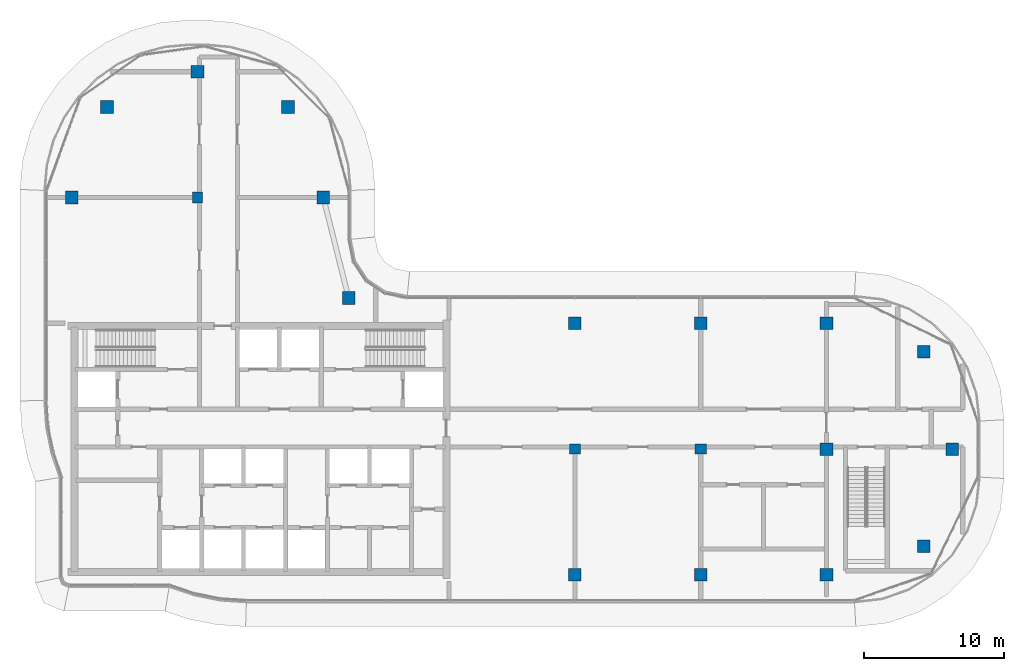
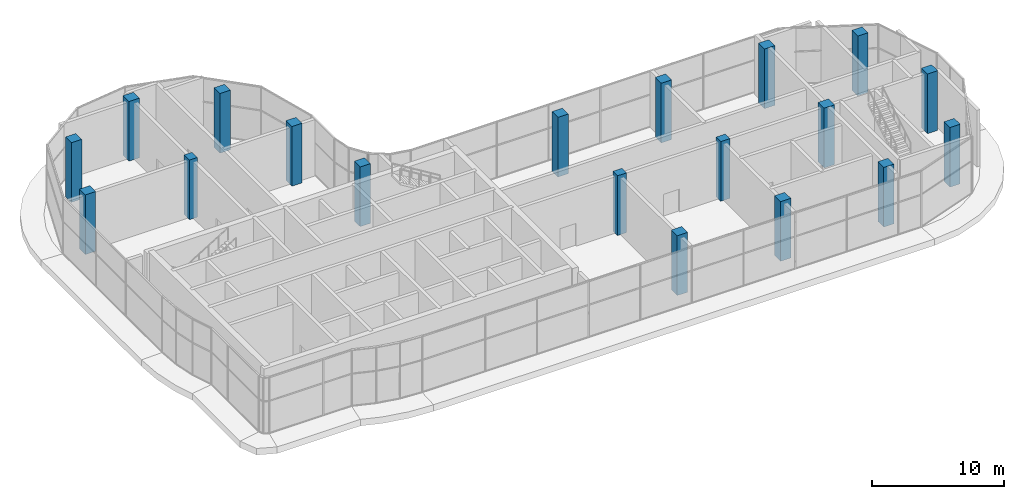
# One storey, part 1 of 23: 19 columns.
"""IFC4 building model written with IfcOpenShell, lengths in metres."""

from ifc_helpers import new_model, si_unit, direction, frame, origin, origin_2d, place, context, subcontext, project, spatial, rectangle, extrude, material, material_profile, profile_set, type_object, element, save


model = new_model("IFC4")

# Units and contexts
model_context = context("Model", 3, precision=1e-05, world=origin(), true_north=direction((0.0, 1.0)))
body_context = subcontext(model_context, "Body", "Model", "MODEL_VIEW")
ifc_project = project(units=[si_unit("LENGTHUNIT", "METRE"), si_unit("AREAUNIT", "SQUARE_METRE"), si_unit("VOLUMEUNIT", "CUBIC_METRE"), si_unit("PLANEANGLEUNIT", "RADIAN"), si_unit("MASSUNIT", "GRAM", prefix="KILO")], contexts=[model_context])

# Site, building, storey
site_placement = place(None, origin())
site = spatial("IfcSite", under=ifc_project, at=site_placement, CompositionType="ELEMENT")
building_placement = place(site_placement, origin())
building = spatial("IfcBuilding", under=site, at=building_placement, Name="Ogive Portal Towers", CompositionType="ELEMENT")
storey_placement = place(building_placement, frame((0.0, 0.0, 249.39990234375)))
storey = spatial("IfcBuildingStorey", under=building, at=storey_placement, Name="L62", CompositionType="ELEMENT", Elevation=249.39990234375)

# Columns
ifc_material = material(Name="Concrete C60/75", Category="concrete")
ifc_material_profile_1 = material_profile(ifc_material, rectangle(XDim=0.800048828125, YDim=0.699951171875, at=origin_2d()), Name="RC 800x700")
ifc_profile_set_1 = profile_set([ifc_material_profile_1], Name="Concrete C60/75")
column_type_1 = type_object("IfcColumnType", Name="COLUMN RC 800x700", PredefinedType="COLUMN", material=ifc_profile_set_1)
for number, where, z_axis, x_axis, name in (
    (1, (67.5, 30.5, 0.0), (0.0, 0.0, 1.0), (1.0, 0.0, 0.0), "Column 5/B L62"),
    (2, (76.5, 30.5, 0.0), (0.0, 0.0, 1.0), (1.0, 0.0, 0.0), "Column 6/B L62"),
    (3, (40.5, 48.5, 0.0), (0.0, 0.0, 1.0), (0.0, 1.0, 0.0), "Column 2/D L62"),
):
    element("IfcColumn", number, at=place(storey_placement, frame(where, z_axis=z_axis, x_axis=x_axis)), inside=storey, type_object=column_type_1, Name=name, PredefinedType="COLUMN", context=body_context, shape_type="SweptSolid", body=[
        extrude(rectangle(XDim=0.800048828125, YDim=0.699951171875, at=origin_2d()), origin(), (0.0, 0.0, 1.0), 5.5),
    ])
ifc_material_profile_2 = material_profile(ifc_material, rectangle(XDim=0.89990234375, YDim=0.89990234375, at=origin_2d()), Name="RC 900x900")
ifc_profile_set_2 = profile_set([ifc_material_profile_2], Name="Concrete C60/75")
column_type_2 = type_object("IfcColumnType", Name="COLUMN RC 900x900", PredefinedType="COLUMN", material=ifc_profile_set_2)
for number, where, z_axis, x_axis, name in (
    (4, (67.5, 21.5, 0.0), (0.0, 0.0, 1.0), (1.0, 0.0, 0.0), "Column 5/A L62"),
    (5, (76.5, 21.5, 0.0), (0.0, 0.0, 1.0), (1.0, 0.0, 0.0), "Column 6/A L62"),
    (6, (85.5, 21.5, 0.0), (0.0, 0.0, 1.0), (1.0, 0.0, 0.0), "Column 7/A L62"),
    (7, (92.449951171875, 23.550048828125, 0.0), (0.0, 0.0, 1.0), (1.0, 0.0, 0.0), "Column L62"),
    (8, (85.5, 30.5, 0.0), (0.0, 0.0, 1.0), (1.0, 0.0, 0.0), "Column 7/B L62"),
    (9, (94.5, 30.5, 0.0), (0.0, 0.0, 1.0), (1.0, 0.0, 0.0), "Column 8/B L62"),
    (10, (92.449951171875, 37.449951171875, 0.0), (0.0, 0.0, 1.0), (1.0, 0.0, 0.0), "Column L62"),
    (11, (67.5, 39.5, 0.0), (0.0, 0.0, 1.0), (1.0, 0.0, 0.0), "Column 5/C L62"),
    (12, (76.5, 39.5, 0.0), (0.0, 0.0, 1.0), (1.0, 0.0, 0.0), "Column 6/C L62"),
    (13, (85.5, 39.5, 0.0), (0.0, 0.0, 1.0), (1.0, 0.0, 0.0), "Column 7/C L62"),
    (14, (51.31005859375, 41.31005859375, 0.0), (0.0, 0.0, 1.0), (1.0, 0.0, 0.0), "Column L62"),
    (15, (31.5, 48.5, 0.0), (0.0, 0.0, 1.0), (1.0, 0.0, 0.0), "Column 1/D L62"),
    (16, (49.5, 48.5, 0.0), (0.0, 0.0, 1.0), (1.0, 0.0, 0.0), "Column 3/D L62"),
    (17, (34.027099609375, 54.972900390625, 0.0), (0.0, 0.0, 1.0), (1.0, 0.0, 0.0), "Column L62"),
    (18, (46.972900390625, 54.972900390625, 0.0), (0.0, 0.0, 1.0), (1.0, 0.0, 0.0), "Column L62"),
    (19, (40.5, 57.5, 0.0), (0.0, 0.0, 1.0), (1.0, 0.0, 0.0), "Column 2/E L62"),
):
    element("IfcColumn", number, at=place(storey_placement, frame(where, z_axis=z_axis, x_axis=x_axis)), inside=storey, type_object=column_type_2, Name=name, PredefinedType="COLUMN", context=body_context, shape_type="SweptSolid", body=[
        extrude(rectangle(XDim=0.89990234375, YDim=0.89990234375, at=origin_2d()), origin(), (0.0, 0.0, 1.0), 5.5),
    ])

save(model, "model.ifc")
